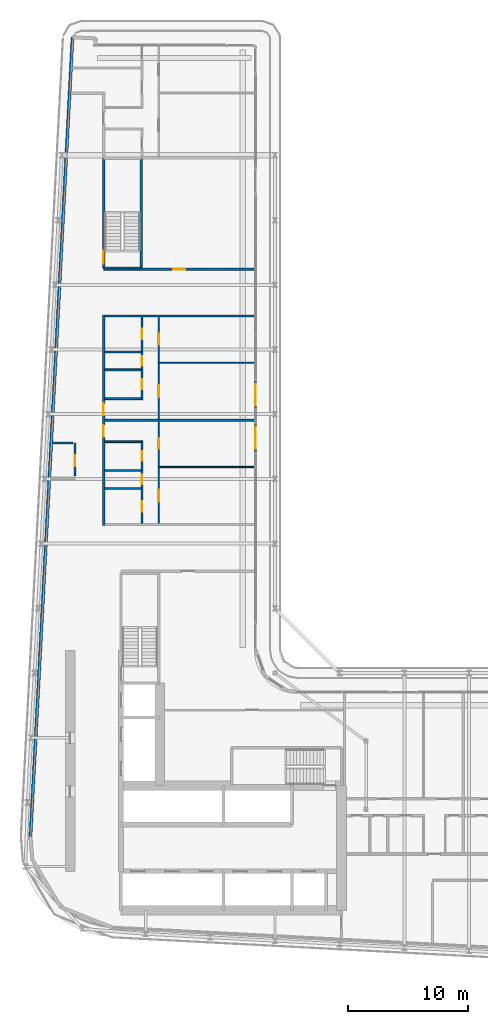
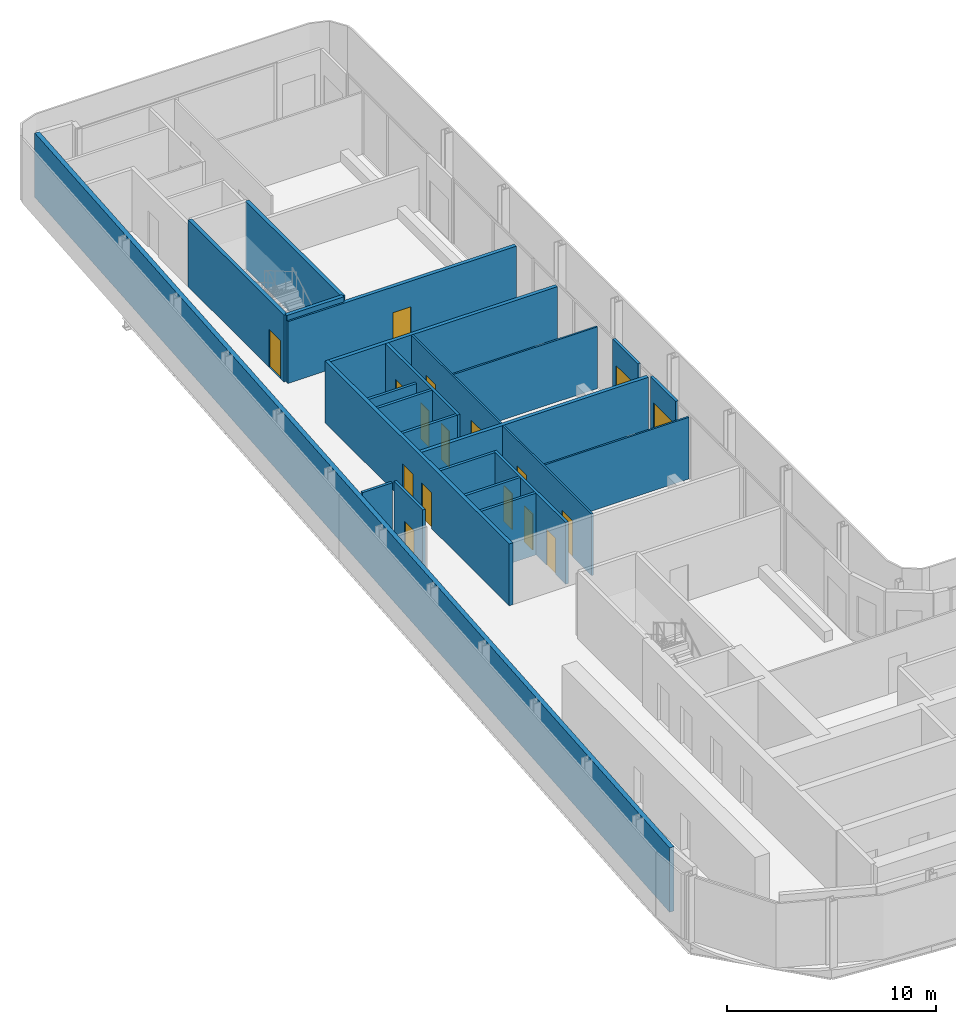
# One storey, part 19 of 29: 24 walls, 17 doors, 17 openings.
"""IFC4 building model written with IfcOpenShell, lengths in metres."""

from ifc_helpers import new_model, si_unit, direction, frame, frame_2d, origin, place, context, subcontext, project, spatial, rectangle, extrude, source, transform, mapped, material, layer, layer_set, type_object, element, fill, save


model = new_model("IFC4")

# Units and contexts
model_context = context("Model", 3, precision=1e-05, world=origin(), true_north=direction((0.0, 1.0)))
body_context = subcontext(model_context, "Body", "Model", "MODEL_VIEW")
ifc_project = project(units=[si_unit("LENGTHUNIT", "METRE"), si_unit("AREAUNIT", "SQUARE_METRE"), si_unit("VOLUMEUNIT", "CUBIC_METRE"), si_unit("PLANEANGLEUNIT", "RADIAN"), si_unit("MASSUNIT", "GRAM", prefix="KILO")], contexts=[model_context])

# Site, building, storey
site_placement = place(None, origin())
site = spatial("IfcSite", under=ifc_project, at=site_placement, CompositionType="ELEMENT")
building_placement = place(site_placement, origin())
building = spatial("IfcBuilding", under=site, at=building_placement, Name="Kheshtan School and Residences Tower", CompositionType="ELEMENT")
storey_placement = place(building_placement, frame((0.0, 0.0, 179.89990234375)))
storey = spatial("IfcBuildingStorey", under=building, at=storey_placement, Name="L42", CompositionType="ELEMENT", Elevation=179.89990234375)

# Wall, openings, doors
ifc_material_1 = material(Name="Gypsum board on steel studs with fire boards", Category="steel")
ifc_layer_1 = layer(ifc_material_1, 0.199951171875)
ifc_layer_set_1 = layer_set([ifc_layer_1], Name="Corridor wall 200")
wall_type_1 = type_object("IfcWallType", Name="Corridor wall 200", PredefinedType="PARTITIONING", material=ifc_layer_set_1)
wall_1_placement = place(storey_placement, frame((33.300048828125, 57.89990234375, 0.0), z_axis=(0.0, 0.0, 1.0), x_axis=(0.0, 1.0, 0.0)))
wall_1 = element("IfcWall", 1, at=wall_1_placement, inside=storey, type_object=wall_type_1, Name="Partition L42-003", PredefinedType="PARTITIONING", context=body_context, shape_type="SweptSolid", body=[
    extrude(rectangle(XDim=17.60009765625, YDim=0.199951171875, at=frame_2d((8.800048828125, 0.0))), origin(), (0.0, 0.0, 1.0), 3.60009765625),
])
opening_1_placement = place(wall_1_placement, frame((7.39990234375, 0.0, 0.0)))
opening_1 = element("IfcOpeningElement", 2, at=opening_1_placement, cuts=wall_1, Name="Opening D41-033", PredefinedType="OPENING", context=body_context, shape_type="SweptSolid", body=[
    extrude(rectangle(XDim=1.0, YDim=2.10009765625, at=frame_2d((0.5, 1.050048828125))), frame((0.0, 0.10986328125, 0.0), z_axis=(0.0, -1.0, 0.0), x_axis=(1.0, 0.0, 0.0)), (0.0, 0.0, 1.0), 0.219970703125),
])
opening_2_placement = place(wall_1_placement, frame((9.199951171875, 0.0, 0.0)))
opening_2 = element("IfcOpeningElement", 3, at=opening_2_placement, cuts=wall_1, Name="Opening D41-039", PredefinedType="OPENING", context=body_context, shape_type="SweptSolid", body=[
    extrude(rectangle(XDim=1.0, YDim=2.10009765625, at=frame_2d((0.5, 1.050048828125))), frame((0.0, 0.10986328125, 0.0), z_axis=(0.0, -1.0, 0.0), x_axis=(1.0, 0.0, 0.0)), (0.0, 0.0, 1.0), 0.219970703125),
])
ifc_material_2 = material(Name="Steel-framed fire-resisting door leaf", Category="steel")
door_type_1 = type_object("IfcDoorType", Name="Fire door FD30S 1000 x 2100", OperationType="SINGLE_SWING_LEFT", PredefinedType="DOOR", material=ifc_material_2)
shared_shape_1 = source(origin(), body_context, "Body", "SweptSolid", [
    extrude(rectangle(XDim=1.0, YDim=2.10009765625, at=frame_2d((0.5, 1.050048828125))), frame((0.0, 0.02490234375, 0.0), z_axis=(0.0, -1.0, 0.0), x_axis=(1.0, 0.0, 0.0)), (0.0, 0.0, 1.0), 0.050048828125),
])
door_1_placement = place(opening_1_placement, origin())
door_1 = element("IfcDoor", 4, at=door_1_placement, inside=storey, type_object=door_type_1, Name="Door D41-033", OperationType="SINGLE_SWING_LEFT", OverallHeight=2.10009765625, OverallWidth=1.0, PredefinedType="DOOR", context=body_context, shape_type="MappedRepresentation", body=[
    mapped(shared_shape_1, transform((0.0, 0.0, 0.0), x_axis=(1.0, 0.0, 0.0), y_axis=(0.0, 1.0, 0.0), z_axis=(0.0, 0.0, 1.0), scale=1.0)),
])
fill(opening_1, door_1)
door_2_placement = place(opening_2_placement, origin())
door_2 = element("IfcDoor", 5, at=door_2_placement, inside=storey, type_object=door_type_1, Name="Door D41-039", OperationType="SINGLE_SWING_LEFT", OverallHeight=2.10009765625, OverallWidth=1.0, PredefinedType="DOOR", context=body_context, shape_type="MappedRepresentation", body=[
    mapped(shared_shape_1, transform((0.0, 0.0, 0.0), x_axis=(1.0, 0.0, 0.0), y_axis=(0.0, 1.0, 0.0), z_axis=(0.0, 0.0, 1.0), scale=1.0)),
])
fill(opening_2, door_2)

# Wall, opening, door
wall_2_placement = place(storey_placement, frame((33.300048828125, 79.300048828125, 0.0), z_axis=(0.0, 0.0, 1.0), x_axis=(1.0, 0.0, 0.0)))
wall_2 = element("IfcWall", 6, at=wall_2_placement, inside=storey, type_object=wall_type_1, Name="Partition L42-004", PredefinedType="PARTITIONING", context=body_context, shape_type="SweptSolid", body=[
    extrude(rectangle(XDim=12.599853515625, YDim=0.199951171875, at=frame_2d((6.2998046875, 0.0))), origin(), (0.0, 0.0, 1.0), 3.60009765625),
])
opening_3_placement = place(wall_2_placement, frame((5.794921875, 0.0, 0.0)))
opening_3 = element("IfcOpeningElement", 7, at=opening_3_placement, cuts=wall_2, Name="Opening D41-052", PredefinedType="OPENING", context=body_context, shape_type="SweptSolid", body=[
    extrude(rectangle(XDim=1.0, YDim=2.10009765625, at=frame_2d((0.5, 1.050048828125))), frame((0.0, 0.10986328125, 0.0), z_axis=(0.0, -1.0, 0.0), x_axis=(1.0, 0.0, 0.0)), (0.0, 0.0, 1.0), 0.219970703125),
])
door_type_2 = type_object("IfcDoorType", Name="Fire door FD60 1000 x 2100", OperationType="SINGLE_SWING_LEFT", PredefinedType="DOOR", material=ifc_material_2)
shared_shape_2 = source(origin(), body_context, "Body", "SweptSolid", [
    extrude(rectangle(XDim=1.0, YDim=2.10009765625, at=frame_2d((0.5, 1.050048828125))), frame((0.0, 0.02490234375, 0.0), z_axis=(0.0, -1.0, 0.0), x_axis=(1.0, 0.0, 0.0)), (0.0, 0.0, 1.0), 0.050048828125),
])
door_3_placement = place(opening_3_placement, origin())
door_3 = element("IfcDoor", 8, at=door_3_placement, inside=storey, type_object=door_type_2, Name="Door D41-052", OperationType="SINGLE_SWING_RIGHT", OverallHeight=2.10009765625, OverallWidth=1.0, PredefinedType="DOOR", context=body_context, shape_type="MappedRepresentation", body=[
    mapped(shared_shape_2, transform((0.0, 0.0, 0.0), x_axis=(1.0, 0.0, 0.0), y_axis=(0.0, 1.0, 0.0), z_axis=(0.0, 0.0, 1.0), scale=1.0)),
])
fill(opening_3, door_3)

# Walls
wall_3_placement = place(storey_placement, frame((33.39990234375, 75.39990234375, 0.0), z_axis=(0.0, 0.0, 1.0), x_axis=(1.0, 0.0, 0.0)))
element("IfcWall", 9, at=wall_3_placement, inside=storey, type_object=wall_type_1, Name="Partition L42-014", PredefinedType="PARTITIONING", context=body_context, shape_type="SweptSolid", body=[
    extrude(rectangle(XDim=12.5, YDim=0.199951171875, at=frame_2d((6.25, 0.0))), origin(), (0.0, 0.0, 1.0), 3.60009765625),
])
ifc_material_3 = material(Name="Concrete C40/50 with ceramic cladding and mineral wool insulation", Category="concrete")
ifc_layer_2 = layer(ifc_material_3, 0.25)
ifc_layer_set_2 = layer_set([ifc_layer_2], Name="External wall 250 ceramic clad")
wall_type_2 = type_object("IfcWallType", Name="External wall 250 ceramic clad", PredefinedType="SOLIDWALL", material=ifc_layer_set_2)
wall_4_placement = place(storey_placement, frame((27.195068359375, 31.968994140625, 0.0), z_axis=(0.0, 0.0, 1.0), x_axis=(0.052554995867, 0.998618031286, 0.0)))
element("IfcWall", 10, at=wall_4_placement, inside=storey, type_object=wall_type_2, Name="External wall L42 4", PredefinedType="SOLIDWALL", context=body_context, shape_type="SweptSolid", body=[
    extrude(rectangle(XDim=66.787353515625, YDim=0.25, at=frame_2d((33.3935546875, 0.0))), origin(), (0.0, 0.0, 1.0), 3.75),
])

# Wall, opening, door
ifc_material_4 = material(Name="Aluminium frame wall with insulated infill", Category="aluminium")
ifc_layer_3 = layer(ifc_material_4, 0.14990234375)
ifc_layer_set_3 = layer_set([ifc_layer_3], Name="Glazing frame wall 150")
wall_type_3 = type_object("IfcWallType", Name="Glazing frame wall 150", PredefinedType="SOLIDWALL", material=ifc_layer_set_3)
wall_5_placement = place(storey_placement, frame((45.97509765625, 70.01806640625, 0.0), z_axis=(0.0, 0.0, 1.0), x_axis=(0.0, -1.0, 0.0)))
wall_5 = element("IfcWall", 11, at=wall_5_placement, inside=storey, type_object=wall_type_3, Name="Balcony door wall L42 8.3", PredefinedType="SOLIDWALL", context=body_context, shape_type="SweptSolid", body=[
    extrude(rectangle(XDim=2.400146484375, YDim=0.14990234375, at=frame_2d((1.2001953125, 0.0))), origin(), (0.0, 0.0, 1.0), 3.75),
])
opening_4_placement = place(wall_5_placement, frame((0.300048828125, 0.0, 0.0)))
opening_4 = element("IfcOpeningElement", 12, at=opening_4_placement, cuts=wall_5, Name="Opening BD", PredefinedType="OPENING", context=body_context, shape_type="SweptSolid", body=[
    extrude(rectangle(XDim=1.800048828125, YDim=2.39990234375, at=frame_2d((0.89990234375, 1.199951171875))), frame((0.0, 0.0849609375, 0.0), z_axis=(0.0, -1.0, 0.0), x_axis=(1.0, 0.0, 0.0)), (0.0, 0.0, 1.0), 0.169921875),
])
ifc_material_5 = material(Name="Clear low-e glass in thermally broken aluminium frame", Category="aluminium")
door_type_3 = type_object("IfcDoorType", Name="Balcony sliding door", OperationType="SLIDING_TO_LEFT", PredefinedType="DOOR", material=ifc_material_5)
shared_shape_3 = source(origin(), body_context, "Body", "SweptSolid", [
    extrude(rectangle(XDim=1.800048828125, YDim=2.39990234375, at=frame_2d((0.89990234375, 1.199951171875))), frame((0.0, 0.02490234375, 0.0), z_axis=(0.0, -1.0, 0.0), x_axis=(1.0, 0.0, 0.0)), (0.0, 0.0, 1.0), 0.050048828125),
])
door_4_placement = place(opening_4_placement, origin())
door_4 = element("IfcDoor", 13, at=door_4_placement, inside=storey, type_object=door_type_3, Name="Balcony door L42 8.3", OperationType="SLIDING_TO_LEFT", OverallHeight=2.39990234375, OverallWidth=1.800048828125, PredefinedType="DOOR", context=body_context, shape_type="MappedRepresentation", body=[
    mapped(shared_shape_3, transform((0.0, 0.0, 0.0), x_axis=(1.0, 0.0, 0.0), y_axis=(0.0, 1.0, 0.0), z_axis=(0.0, 0.0, 1.0), scale=1.0)),
])
fill(opening_4, door_4)

wall_6_placement = place(storey_placement, frame((45.97509765625, 66.41796875, 0.0), z_axis=(0.0, 0.0, 1.0), x_axis=(0.0, -1.0, 0.0)))
wall_6 = element("IfcWall", 14, at=wall_6_placement, inside=storey, type_object=wall_type_3, Name="Balcony door wall L42 8.4", PredefinedType="SOLIDWALL", context=body_context, shape_type="SweptSolid", body=[
    extrude(rectangle(XDim=2.39990234375, YDim=0.14990234375, at=frame_2d((1.199951171875, 0.0))), origin(), (0.0, 0.0, 1.0), 3.75),
])
opening_5_placement = place(wall_6_placement, frame((0.300048828125, 0.0, 0.0)))
opening_5 = element("IfcOpeningElement", 15, at=opening_5_placement, cuts=wall_6, Name="Opening BD", PredefinedType="OPENING", context=body_context, shape_type="SweptSolid", body=[
    extrude(rectangle(XDim=1.800048828125, YDim=2.39990234375, at=frame_2d((0.89990234375, 1.199951171875))), frame((0.0, 0.0849609375, 0.0), z_axis=(0.0, -1.0, 0.0), x_axis=(1.0, 0.0, 0.0)), (0.0, 0.0, 1.0), 0.169921875),
])
door_5_placement = place(opening_5_placement, origin())
door_5 = element("IfcDoor", 16, at=door_5_placement, inside=storey, type_object=door_type_3, Name="Balcony door L42 8.4", OperationType="SLIDING_TO_LEFT", OverallHeight=2.39990234375, OverallWidth=1.800048828125, PredefinedType="DOOR", context=body_context, shape_type="MappedRepresentation", body=[
    mapped(shared_shape_3, transform((0.0, 0.0, 0.0), x_axis=(1.0, 0.0, 0.0), y_axis=(0.0, 1.0, 0.0), z_axis=(0.0, 0.0, 1.0), scale=1.0)),
])
fill(opening_5, door_5)

# Wall, openings, doors
ifc_material_6 = material(Name="Gypsum board on steel studs", Category="steel")
ifc_layer_4 = layer(ifc_material_6, 0.10009765625)
ifc_layer_set_4 = layer_set([ifc_layer_4], Name="Gypsum partition 100")
wall_type_4 = type_object("IfcWallType", Name="Gypsum partition 100", PredefinedType="PARTITIONING", material=ifc_layer_set_4)
wall_7_placement = place(storey_placement, frame((37.89990234375, 58.10009765625, 0.0), z_axis=(0.0, 0.0, 1.0), x_axis=(0.0, 1.0, 0.0)))
wall_7 = element("IfcWall", 17, at=wall_7_placement, inside=storey, type_object=wall_type_4, Name="Partition L42-023", PredefinedType="PARTITIONING", context=body_context, shape_type="SweptSolid", body=[
    extrude(rectangle(XDim=8.5, YDim=0.10009765625, at=frame_2d((4.25, 0.0))), origin(), (0.0, 0.0, 1.0), 3.60009765625),
])
opening_6_placement = place(wall_7_placement, frame((6.199951171875, 0.0, 0.0)))
opening_6 = element("IfcOpeningElement", 18, at=opening_6_placement, cuts=wall_7, Name="Opening D41-032", PredefinedType="OPENING", context=body_context, shape_type="SweptSolid", body=[
    extrude(rectangle(XDim=0.89990234375, YDim=2.10009765625, at=frame_2d((0.449951171875, 1.050048828125))), frame((0.0, 0.06005859375, 0.0), z_axis=(0.0, -1.0, 0.0), x_axis=(1.0, 0.0, 0.0)), (0.0, 0.0, 1.0), 0.1201171875),
])
opening_7_placement = place(wall_7_placement, frame((1.800048828125, 0.0, 0.0)))
opening_7 = element("IfcOpeningElement", 19, at=opening_7_placement, cuts=wall_7, Name="Opening D41-035", PredefinedType="OPENING", context=body_context, shape_type="SweptSolid", body=[
    extrude(rectangle(XDim=1.0, YDim=2.10009765625, at=frame_2d((0.5, 1.050048828125))), frame((0.0, 0.06005859375, 0.0), z_axis=(0.0, -1.0, 0.0), x_axis=(1.0, 0.0, 0.0)), (0.0, 0.0, 1.0), 0.1201171875),
])
ifc_material_7 = material(Name="Veneered timber door leaf", Category="wood")
door_type_4 = type_object("IfcDoorType", Name="Door 1000 x 2100", OperationType="SINGLE_SWING_LEFT", PredefinedType="DOOR", material=ifc_material_7)
shared_shape_4 = source(origin(), body_context, "Body", "SweptSolid", [
    extrude(rectangle(XDim=1.0, YDim=2.10009765625, at=frame_2d((0.5, 1.050048828125))), frame((0.0, 0.02490234375, 0.0), z_axis=(0.0, -1.0, 0.0), x_axis=(1.0, 0.0, 0.0)), (0.0, 0.0, 1.0), 0.050048828125),
])
door_6_placement = place(opening_7_placement, origin())
door_6 = element("IfcDoor", 20, at=door_6_placement, inside=storey, type_object=door_type_4, Name="Door D41-035", OperationType="SINGLE_SWING_RIGHT", OverallHeight=2.10009765625, OverallWidth=1.0, PredefinedType="DOOR", context=body_context, shape_type="MappedRepresentation", body=[
    mapped(shared_shape_4, transform((0.0, 0.0, 0.0), x_axis=(1.0, 0.0, 0.0), y_axis=(0.0, 1.0, 0.0), z_axis=(0.0, 0.0, 1.0), scale=1.0)),
])
fill(opening_7, door_6)
door_type_5 = type_object("IfcDoorType", Name="Door 900 x 2100", OperationType="SINGLE_SWING_LEFT", PredefinedType="DOOR", material=ifc_material_7)
shared_shape_5 = source(origin(), body_context, "Body", "SweptSolid", [
    extrude(rectangle(XDim=0.89990234375, YDim=2.10009765625, at=frame_2d((0.449951171875, 1.050048828125))), frame((0.0, 0.02490234375, 0.0), z_axis=(0.0, -1.0, 0.0), x_axis=(1.0, 0.0, 0.0)), (0.0, 0.0, 1.0), 0.050048828125),
])
door_7_placement = place(opening_6_placement, origin())
door_7 = element("IfcDoor", 21, at=door_7_placement, inside=storey, type_object=door_type_5, Name="Door D41-032", OperationType="SINGLE_SWING_RIGHT", OverallHeight=2.10009765625, OverallWidth=0.89990234375, PredefinedType="DOOR", context=body_context, shape_type="MappedRepresentation", body=[
    mapped(shared_shape_5, transform((0.0, 0.0, 0.0), x_axis=(1.0, 0.0, 0.0), y_axis=(0.0, 1.0, 0.0), z_axis=(0.0, 0.0, 1.0), scale=1.0)),
])
fill(opening_6, door_7)

wall_8_placement = place(storey_placement, frame((37.89990234375, 66.800048828125, 0.0), z_axis=(0.0, 0.0, 1.0), x_axis=(0.0, 1.0, 0.0)))
wall_8 = element("IfcWall", 22, at=wall_8_placement, inside=storey, type_object=wall_type_4, Name="Partition L42-024", PredefinedType="PARTITIONING", context=body_context, shape_type="SweptSolid", body=[
    extrude(rectangle(XDim=8.5, YDim=0.10009765625, at=frame_2d((4.25, 0.0))), origin(), (0.0, 0.0, 1.0), 3.60009765625),
])
opening_8_placement = place(wall_8_placement, frame((6.199951171875, 0.0, 0.0)))
opening_8 = element("IfcOpeningElement", 23, at=opening_8_placement, cuts=wall_8, Name="Opening D41-038", PredefinedType="OPENING", context=body_context, shape_type="SweptSolid", body=[
    extrude(rectangle(XDim=0.89990234375, YDim=2.10009765625, at=frame_2d((0.449951171875, 1.050048828125))), frame((0.0, 0.06005859375, 0.0), z_axis=(0.0, -1.0, 0.0), x_axis=(1.0, 0.0, 0.0)), (0.0, 0.0, 1.0), 0.1201171875),
])
opening_9_placement = place(wall_8_placement, frame((1.800048828125, 0.0, 0.0)))
opening_9 = element("IfcOpeningElement", 24, at=opening_9_placement, cuts=wall_8, Name="Opening D41-041", PredefinedType="OPENING", context=body_context, shape_type="SweptSolid", body=[
    extrude(rectangle(XDim=1.0, YDim=2.10009765625, at=frame_2d((0.5, 1.050048828125))), frame((0.0, 0.06005859375, 0.0), z_axis=(0.0, -1.0, 0.0), x_axis=(1.0, 0.0, 0.0)), (0.0, 0.0, 1.0), 0.1201171875),
])
door_8_placement = place(opening_9_placement, origin())
door_8 = element("IfcDoor", 25, at=door_8_placement, inside=storey, type_object=door_type_4, Name="Door D41-041", OperationType="SINGLE_SWING_RIGHT", OverallHeight=2.10009765625, OverallWidth=1.0, PredefinedType="DOOR", context=body_context, shape_type="MappedRepresentation", body=[
    mapped(shared_shape_4, transform((0.0, 0.0, 0.0), x_axis=(1.0, 0.0, 0.0), y_axis=(0.0, 1.0, 0.0), z_axis=(0.0, 0.0, 1.0), scale=1.0)),
])
fill(opening_9, door_8)
door_9_placement = place(opening_8_placement, origin())
door_9 = element("IfcDoor", 26, at=door_9_placement, inside=storey, type_object=door_type_5, Name="Door D41-038", OperationType="SINGLE_SWING_RIGHT", OverallHeight=2.10009765625, OverallWidth=0.89990234375, PredefinedType="DOOR", context=body_context, shape_type="MappedRepresentation", body=[
    mapped(shared_shape_5, transform((0.0, 0.0, 0.0), x_axis=(1.0, 0.0, 0.0), y_axis=(0.0, 1.0, 0.0), z_axis=(0.0, 0.0, 1.0), scale=1.0)),
])
fill(opening_8, door_9)

# Walls
for number, where, z_axis, x_axis, name in (
    (27, (37.949951171875, 62.800048828125, 0.0), (0.0, 0.0, 1.0), (1.0, 0.0, 0.0), "Partition L42-026"),
    (28, (37.949951171875, 71.5, 0.0), (0.0, 0.0, 1.0), (1.0, 0.0, 0.0), "Partition L42-027"),
):
    element("IfcWall", number, at=place(storey_placement, frame(where, z_axis=z_axis, x_axis=x_axis)), inside=storey, type_object=wall_type_4, Name=name, PredefinedType="PARTITIONING", context=body_context, shape_type="SweptSolid", body=[
        extrude(rectangle(XDim=7.949951171875, YDim=0.10009765625, at=frame_2d((3.97509765625, 0.0))), origin(), (0.0, 0.0, 1.0), 3.60009765625),
    ])

# Wall, opening, door
ifc_material_8 = material(Name="Fire-board shaft wall system")
ifc_layer_5 = layer(ifc_material_8, 0.14990234375)
ifc_layer_set_5 = layer_set([ifc_layer_5], Name="Service room wall 150")
wall_type_5 = type_object("IfcWallType", Name="Service room wall 150", PredefinedType="PARTITIONING", material=ifc_layer_set_5)
wall_9_placement = place(storey_placement, frame((30.89990234375, 62.0458984375, 0.0), z_axis=(0.0, 0.0, 1.0), x_axis=(0.0, 1.0, 0.0)))
wall_9 = element("IfcWall", 29, at=wall_9_placement, inside=storey, type_object=wall_type_5, Name="Service room wall", PredefinedType="PARTITIONING", context=body_context, shape_type="SweptSolid", body=[
    extrude(rectangle(XDim=2.754150390625, YDim=0.14990234375, at=frame_2d((1.376953125, 0.0))), origin(), (0.0, 0.0, 1.0), 3.900146484375),
])
opening_10_placement = place(wall_9_placement, frame((0.830078125, 0.0, 0.0)))
opening_10 = element("IfcOpeningElement", 30, at=opening_10_placement, cuts=wall_9, Name="Opening SR90", PredefinedType="OPENING", context=body_context, shape_type="SweptSolid", body=[
    extrude(rectangle(XDim=0.89990234375, YDim=2.199951171875, at=frame_2d((0.449951171875, 1.10009765625))), frame((0.0, 0.0849609375, 0.0), z_axis=(0.0, -1.0, 0.0), x_axis=(1.0, 0.0, 0.0)), (0.0, 0.0, 1.0), 0.169921875),
])
ifc_material_9 = material(Name="Steel door leaf, galvanised", Category="steel")
door_type_6 = type_object("IfcDoorType", Name="Service room door 900 steel 90 min", OperationType="SINGLE_SWING_LEFT", PredefinedType="DOOR", material=ifc_material_9)
shared_shape_6 = source(origin(), body_context, "Body", "SweptSolid", [
    extrude(rectangle(XDim=0.89990234375, YDim=2.199951171875, at=frame_2d((0.449951171875, 1.10009765625))), frame((0.0, 0.02490234375, 0.0), z_axis=(0.0, -1.0, 0.0), x_axis=(1.0, 0.0, 0.0)), (0.0, 0.0, 1.0), 0.050048828125),
])
door_10_placement = place(opening_10_placement, origin())
door_10 = element("IfcDoor", 31, at=door_10_placement, inside=storey, type_object=door_type_6, Name="Service room door", OperationType="SINGLE_SWING_LEFT", OverallHeight=2.199951171875, OverallWidth=0.89990234375, PredefinedType="DOOR", context=body_context, shape_type="MappedRepresentation", body=[
    mapped(shared_shape_6, transform((0.0, 0.0, 0.0), x_axis=(1.0, 0.0, 0.0), y_axis=(0.0, 1.0, 0.0), z_axis=(0.0, 0.0, 1.0), scale=1.0)),
])
fill(opening_10, door_10)

# Walls
wall_10_placement = place(storey_placement, frame((29.050048828125, 64.800048828125, 0.0), z_axis=(0.0, 0.0, 1.0), x_axis=(1.0, 0.0, 0.0)))
element("IfcWall", 32, at=wall_10_placement, inside=storey, type_object=wall_type_5, Name="Service room wall", PredefinedType="PARTITIONING", context=body_context, shape_type="SweptSolid", body=[
    extrude(rectangle(XDim=1.655029296875, YDim=0.14990234375, at=frame_2d((0.82763671875, 0.0))), origin(), (0.0, 0.0, 1.0), 3.900146484375),
])
ifc_material_10 = material(Name="Concrete C40/50", Category="concrete")
ifc_layer_6 = layer(ifc_material_10, 0.199951171875)
ifc_layer_set_6 = layer_set([ifc_layer_6], Name="Stair enclosure wall 200 Concrete C40/50")
wall_type_6 = type_object("IfcWallType", Name="Stair enclosure wall 200 Concrete C40/50", PredefinedType="SHEAR", material=ifc_layer_set_6)
wall_11_placement = place(storey_placement, frame((33.300048828125, 79.39990234375, 0.0), z_axis=(0.0, 0.0, 1.0), x_axis=(1.0, 0.0, 0.0)))
element("IfcWall", 33, at=wall_11_placement, inside=storey, type_object=wall_type_6, Name="Stair enclosure wall ST3", PredefinedType="SHEAR", context=body_context, shape_type="SweptSolid", body=[
    extrude(rectangle(XDim=3.14990234375, YDim=0.199951171875, at=frame_2d((1.574951171875, 0.0))), origin(), (0.0, 0.0, 1.0), 3.900146484375),
])

# Wall, opening, door
wall_12_placement = place(storey_placement, frame((33.300048828125, 79.39990234375, 0.0), z_axis=(0.0, 0.0, 1.0), x_axis=(0.0, 1.0, 0.0)))
wall_12 = element("IfcWall", 34, at=wall_12_placement, inside=storey, type_object=wall_type_6, Name="Stair enclosure wall ST3", PredefinedType="SHEAR", context=body_context, shape_type="SweptSolid", body=[
    extrude(rectangle(XDim=9.16015625, YDim=0.199951171875, at=frame_2d((4.580078125, 0.0))), origin(), (0.0, 0.0, 1.0), 3.900146484375),
])
opening_11_placement = place(wall_12_placement, frame((0.35009765625, 0.0, 0.0)))
opening_11 = element("IfcOpeningElement", 35, at=opening_11_placement, cuts=wall_12, Name="Opening ST3D", PredefinedType="OPENING", context=body_context, shape_type="SweptSolid", body=[
    extrude(rectangle(XDim=1.10009765625, YDim=2.199951171875, at=frame_2d((0.550048828125, 1.10009765625))), frame((0.0, 0.10986328125, 0.0), z_axis=(0.0, -1.0, 0.0), x_axis=(1.0, 0.0, 0.0)), (0.0, 0.0, 1.0), 0.219970703125),
])
door_type_7 = type_object("IfcDoorType", Name="Stair door 1100 steel 90 min", OperationType="SINGLE_SWING_LEFT", PredefinedType="DOOR", material=ifc_material_9)
shared_shape_7 = source(origin(), body_context, "Body", "SweptSolid", [
    extrude(rectangle(XDim=1.10009765625, YDim=2.199951171875, at=frame_2d((0.550048828125, 1.10009765625))), frame((0.0, 0.02490234375, 0.0), z_axis=(0.0, -1.0, 0.0), x_axis=(1.0, 0.0, 0.0)), (0.0, 0.0, 1.0), 0.050048828125),
])
door_11_placement = place(opening_11_placement, origin())
door_11 = element("IfcDoor", 36, at=door_11_placement, inside=storey, type_object=door_type_7, Name="Stair ST3 door", OperationType="SINGLE_SWING_RIGHT", OverallHeight=2.199951171875, OverallWidth=1.10009765625, PredefinedType="DOOR", context=body_context, shape_type="MappedRepresentation", body=[
    mapped(shared_shape_7, transform((0.0, 0.0, 0.0), x_axis=(1.0, 0.0, 0.0), y_axis=(0.0, 1.0, 0.0), z_axis=(0.0, 0.0, 1.0), scale=1.0)),
])
fill(opening_11, door_11)

# Walls
wall_13_placement = place(storey_placement, frame((36.449951171875, 79.39990234375, 0.0), z_axis=(0.0, 0.0, 1.0), x_axis=(0.0, 1.0, 0.0)))
element("IfcWall", 37, at=wall_13_placement, inside=storey, type_object=wall_type_6, Name="Stair enclosure wall ST3", PredefinedType="SHEAR", context=body_context, shape_type="SweptSolid", body=[
    extrude(rectangle(XDim=9.16015625, YDim=0.199951171875, at=frame_2d((4.580078125, 0.0))), origin(), (0.0, 0.0, 1.0), 3.900146484375),
])
ifc_material_11 = material(Name="Twin gypsum board on steel studs with mineral wool", Category="steel")
ifc_layer_7 = layer(ifc_material_11, 0.199951171875)
ifc_layer_set_7 = layer_set([ifc_layer_7], Name="Unit demising wall 200")
wall_type_7 = type_object("IfcWallType", Name="Unit demising wall 200", PredefinedType="PARTITIONING", material=ifc_layer_set_7)
wall_14_placement = place(storey_placement, frame((33.39990234375, 66.699951171875, 0.0), z_axis=(0.0, 0.0, 1.0), x_axis=(1.0, 0.0, 0.0)))
element("IfcWall", 38, at=wall_14_placement, inside=storey, type_object=wall_type_7, Name="Partition L42-010", PredefinedType="PARTITIONING", context=body_context, shape_type="SweptSolid", body=[
    extrude(rectangle(XDim=12.5, YDim=0.199951171875, at=frame_2d((6.25, 0.0))), origin(), (0.0, 0.0, 1.0), 3.60009765625),
])
ifc_material_12 = material(Name="Moisture-resistant gypsum board on steel studs", Category="steel")
ifc_layer_8 = layer(ifc_material_12, 0.14990234375)
ifc_layer_set_8 = layer_set([ifc_layer_8], Name="Wet-room partition 150")
wall_type_8 = type_object("IfcWallType", Name="Wet-room partition 150", PredefinedType="PARTITIONING", material=ifc_layer_set_8)
for number, where, z_axis, x_axis, name in (
    (39, (33.39990234375, 61.0, 0.0), (0.0, 0.0, 1.0), (1.0, 0.0, 0.0), "Partition L42-007"),
    (40, (33.39990234375, 62.5, 0.0), (0.0, 0.0, 1.0), (1.0, 0.0, 0.0), "Partition L42-008"),
    (41, (33.39990234375, 64.89990234375, 0.0), (0.0, 0.0, 1.0), (1.0, 0.0, 0.0), "Partition L42-009"),
    (42, (33.39990234375, 68.5, 0.0), (0.0, 0.0, 1.0), (1.0, 0.0, 0.0), "Partition L42-011"),
    (43, (33.39990234375, 70.89990234375, 0.0), (0.0, 0.0, 1.0), (1.0, 0.0, 0.0), "Partition L42-012"),
):
    element("IfcWall", number, at=place(storey_placement, frame(where, z_axis=z_axis, x_axis=x_axis)), inside=storey, type_object=wall_type_8, Name=name, PredefinedType="PARTITIONING", context=body_context, shape_type="SweptSolid", body=[
        extrude(rectangle(XDim=3.025146484375, YDim=0.14990234375, at=frame_2d((1.5126953125, 0.0))), origin(), (0.0, 0.0, 1.0), 3.60009765625),
    ])
wall_15_placement = place(storey_placement, frame((33.39990234375, 72.39990234375, 0.0), z_axis=(0.0, 0.0, 1.0), x_axis=(1.0, 0.0, 0.0)))
element("IfcWall", 44, at=wall_15_placement, inside=storey, type_object=wall_type_8, Name="Partition L42-013", PredefinedType="PARTITIONING", context=body_context, shape_type="SweptSolid", body=[
    extrude(rectangle(XDim=3.025146484375, YDim=0.14990234375, at=frame_2d((1.5126953125, 0.0))), origin(), (0.0, 0.0, 1.0), 3.072021484375),
])

# Wall, openings, doors
wall_16_placement = place(storey_placement, frame((36.5, 58.10009765625, 0.0), z_axis=(0.0, 0.0, 1.0), x_axis=(0.0, 1.0, 0.0)))
wall_16 = element("IfcWall", 45, at=wall_16_placement, inside=storey, type_object=wall_type_8, Name="Partition L42-019", PredefinedType="PARTITIONING", context=body_context, shape_type="SweptSolid", body=[
    extrude(rectangle(XDim=6.875, YDim=0.14990234375, at=frame_2d((3.4375, 0.0))), origin(), (0.0, 0.0, 1.0), 3.60009765625),
])
opening_12_placement = place(wall_16_placement, frame((5.199951171875, 0.0, 0.0)))
opening_12 = element("IfcOpeningElement", 46, at=opening_12_placement, cuts=wall_16, Name="Opening D41-031", PredefinedType="OPENING", context=body_context, shape_type="SweptSolid", body=[
    extrude(rectangle(XDim=0.800048828125, YDim=2.10009765625, at=frame_2d((0.39990234375, 1.050048828125))), frame((0.0, 0.0849609375, 0.0), z_axis=(0.0, -1.0, 0.0), x_axis=(1.0, 0.0, 0.0)), (0.0, 0.0, 1.0), 0.169921875),
])
opening_13_placement = place(wall_16_placement, frame((0.949951171875, 0.0, 0.0)))
opening_13 = element("IfcOpeningElement", 47, at=opening_13_placement, cuts=wall_16, Name="Opening D41-034", PredefinedType="OPENING", context=body_context, shape_type="SweptSolid", body=[
    extrude(rectangle(XDim=0.89990234375, YDim=2.10009765625, at=frame_2d((0.449951171875, 1.050048828125))), frame((0.0, 0.0849609375, 0.0), z_axis=(0.0, -1.0, 0.0), x_axis=(1.0, 0.0, 0.0)), (0.0, 0.0, 1.0), 0.169921875),
])
opening_14_placement = place(wall_16_placement, frame((3.25, 0.0, 0.0)))
opening_14 = element("IfcOpeningElement", 48, at=opening_14_placement, cuts=wall_16, Name="Opening D41-036", PredefinedType="OPENING", context=body_context, shape_type="SweptSolid", body=[
    extrude(rectangle(XDim=0.800048828125, YDim=2.10009765625, at=frame_2d((0.39990234375, 1.050048828125))), frame((0.0, 0.0849609375, 0.0), z_axis=(0.0, -1.0, 0.0), x_axis=(1.0, 0.0, 0.0)), (0.0, 0.0, 1.0), 0.169921875),
])
door_type_8 = type_object("IfcDoorType", Name="Door 800 x 2100", OperationType="SINGLE_SWING_LEFT", PredefinedType="DOOR", material=ifc_material_7)
shared_shape_8 = source(origin(), body_context, "Body", "SweptSolid", [
    extrude(rectangle(XDim=0.800048828125, YDim=2.10009765625, at=frame_2d((0.39990234375, 1.050048828125))), frame((0.0, 0.02490234375, 0.0), z_axis=(0.0, -1.0, 0.0), x_axis=(1.0, 0.0, 0.0)), (0.0, 0.0, 1.0), 0.050048828125),
])
door_12_placement = place(opening_12_placement, origin())
door_12 = element("IfcDoor", 49, at=door_12_placement, inside=storey, type_object=door_type_8, Name="Door D41-031", OperationType="SINGLE_SWING_RIGHT", OverallHeight=2.10009765625, OverallWidth=0.800048828125, PredefinedType="DOOR", context=body_context, shape_type="MappedRepresentation", body=[
    mapped(shared_shape_8, transform((0.0, 0.0, 0.0), x_axis=(1.0, 0.0, 0.0), y_axis=(0.0, 1.0, 0.0), z_axis=(0.0, 0.0, 1.0), scale=1.0)),
])
fill(opening_12, door_12)
door_13_placement = place(opening_14_placement, origin())
door_13 = element("IfcDoor", 50, at=door_13_placement, inside=storey, type_object=door_type_8, Name="Door D41-036", OperationType="SINGLE_SWING_RIGHT", OverallHeight=2.10009765625, OverallWidth=0.800048828125, PredefinedType="DOOR", context=body_context, shape_type="MappedRepresentation", body=[
    mapped(shared_shape_8, transform((0.0, 0.0, 0.0), x_axis=(1.0, 0.0, 0.0), y_axis=(0.0, 1.0, 0.0), z_axis=(0.0, 0.0, 1.0), scale=1.0)),
])
fill(opening_14, door_13)
door_14_placement = place(opening_13_placement, origin())
door_14 = element("IfcDoor", 51, at=door_14_placement, inside=storey, type_object=door_type_5, Name="Door D41-034", OperationType="SINGLE_SWING_RIGHT", OverallHeight=2.10009765625, OverallWidth=0.89990234375, PredefinedType="DOOR", context=body_context, shape_type="MappedRepresentation", body=[
    mapped(shared_shape_5, transform((0.0, 0.0, 0.0), x_axis=(1.0, 0.0, 0.0), y_axis=(0.0, 1.0, 0.0), z_axis=(0.0, 0.0, 1.0), scale=1.0)),
])
fill(opening_13, door_14)

wall_17_placement = place(storey_placement, frame((36.5, 68.425048828125, 0.0), z_axis=(0.0, 0.0, 1.0), x_axis=(0.0, 1.0, 0.0)))
wall_17 = element("IfcWall", 52, at=wall_17_placement, inside=storey, type_object=wall_type_8, Name="Partition L42-020", PredefinedType="PARTITIONING", context=body_context, shape_type="SweptSolid", body=[
    extrude(rectangle(XDim=6.875, YDim=0.14990234375, at=frame_2d((3.4375, 0.0))), origin(), (0.0, 0.0, 1.0), 3.60009765625),
])
opening_15_placement = place(wall_17_placement, frame((0.875, 0.0, 0.0)))
opening_15 = element("IfcOpeningElement", 53, at=opening_15_placement, cuts=wall_17, Name="Opening D41-037", PredefinedType="OPENING", context=body_context, shape_type="SweptSolid", body=[
    extrude(rectangle(XDim=0.800048828125, YDim=2.10009765625, at=frame_2d((0.39990234375, 1.050048828125))), frame((0.0, 0.0849609375, 0.0), z_axis=(0.0, -1.0, 0.0), x_axis=(1.0, 0.0, 0.0)), (0.0, 0.0, 1.0), 0.169921875),
])
opening_16_placement = place(wall_17_placement, frame((5.02490234375, 0.0, 0.0)))
opening_16 = element("IfcOpeningElement", 54, at=opening_16_placement, cuts=wall_17, Name="Opening D41-040", PredefinedType="OPENING", context=body_context, shape_type="SweptSolid", body=[
    extrude(rectangle(XDim=0.89990234375, YDim=2.10009765625, at=frame_2d((0.449951171875, 1.050048828125))), frame((0.0, 0.0849609375, 0.0), z_axis=(0.0, -1.0, 0.0), x_axis=(1.0, 0.0, 0.0)), (0.0, 0.0, 1.0), 0.169921875),
])
opening_17_placement = place(wall_17_placement, frame((2.824951171875, 0.0, 0.0)))
opening_17 = element("IfcOpeningElement", 55, at=opening_17_placement, cuts=wall_17, Name="Opening D41-042", PredefinedType="OPENING", context=body_context, shape_type="SweptSolid", body=[
    extrude(rectangle(XDim=0.800048828125, YDim=2.10009765625, at=frame_2d((0.39990234375, 1.050048828125))), frame((0.0, 0.0849609375, 0.0), z_axis=(0.0, -1.0, 0.0), x_axis=(1.0, 0.0, 0.0)), (0.0, 0.0, 1.0), 0.169921875),
])
door_15_placement = place(opening_15_placement, origin())
door_15 = element("IfcDoor", 56, at=door_15_placement, inside=storey, type_object=door_type_8, Name="Door D41-037", OperationType="SINGLE_SWING_LEFT", OverallHeight=2.10009765625, OverallWidth=0.800048828125, PredefinedType="DOOR", context=body_context, shape_type="MappedRepresentation", body=[
    mapped(shared_shape_8, transform((0.0, 0.0, 0.0), x_axis=(1.0, 0.0, 0.0), y_axis=(0.0, 1.0, 0.0), z_axis=(0.0, 0.0, 1.0), scale=1.0)),
])
fill(opening_15, door_15)
door_16_placement = place(opening_17_placement, origin())
door_16 = element("IfcDoor", 57, at=door_16_placement, inside=storey, type_object=door_type_8, Name="Door D41-042", OperationType="SINGLE_SWING_RIGHT", OverallHeight=2.10009765625, OverallWidth=0.800048828125, PredefinedType="DOOR", context=body_context, shape_type="MappedRepresentation", body=[
    mapped(shared_shape_8, transform((0.0, 0.0, 0.0), x_axis=(1.0, 0.0, 0.0), y_axis=(0.0, 1.0, 0.0), z_axis=(0.0, 0.0, 1.0), scale=1.0)),
])
fill(opening_17, door_16)
door_17_placement = place(opening_16_placement, origin())
door_17 = element("IfcDoor", 58, at=door_17_placement, inside=storey, type_object=door_type_5, Name="Door D41-040", OperationType="SINGLE_SWING_RIGHT", OverallHeight=2.10009765625, OverallWidth=0.89990234375, PredefinedType="DOOR", context=body_context, shape_type="MappedRepresentation", body=[
    mapped(shared_shape_5, transform((0.0, 0.0, 0.0), x_axis=(1.0, 0.0, 0.0), y_axis=(0.0, 1.0, 0.0), z_axis=(0.0, 0.0, 1.0), scale=1.0)),
])
fill(opening_16, door_17)

save(model, "model.ifc")
